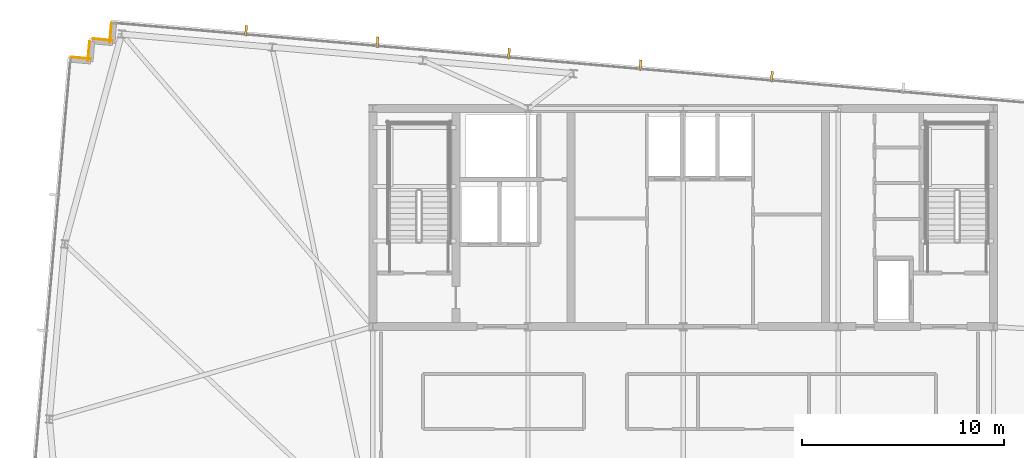
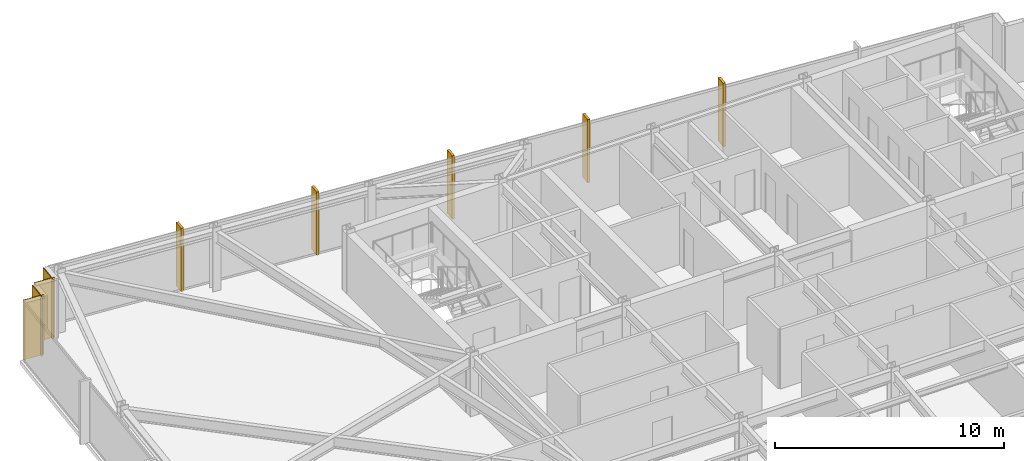
# One storey, part 32 of 32: 5 shading devices, 4 coverings.
"""IFC4 building model written with IfcOpenShell, lengths in metres."""

from ifc_helpers import new_model, si_unit, direction, frame, frame_2d, origin, origin_2d, place, context, subcontext, project, spatial, rectangle, extrude, material, layer, layer_set, type_object, element, save


model = new_model("IFC4")

# Units and contexts
model_context = context("Model", 3, precision=1e-05, world=origin(), true_north=direction((0.0, 1.0)))
body_context = subcontext(model_context, "Body", "Model", "MODEL_VIEW")
ifc_project = project(units=[si_unit("LENGTHUNIT", "METRE"), si_unit("AREAUNIT", "SQUARE_METRE"), si_unit("VOLUMEUNIT", "CUBIC_METRE"), si_unit("PLANEANGLEUNIT", "RADIAN"), si_unit("MASSUNIT", "GRAM", prefix="KILO")], contexts=[model_context])

# Site, building, storey
site_placement = place(None, origin())
site = spatial("IfcSite", under=ifc_project, at=site_placement, CompositionType="ELEMENT")
building_placement = place(site_placement, origin())
building = spatial("IfcBuilding", under=site, at=building_placement, Name="Yelkora Congress Tower", CompositionType="ELEMENT")
storey_placement = place(building_placement, frame((0.0, 0.0, 269.300048828125)))
storey = spatial("IfcBuildingStorey", under=building, at=storey_placement, Name="L75", CompositionType="ELEMENT", Elevation=269.300048828125)

# Coverings
ifc_material_1 = material(Name="Anatolian bush-hammered limestone", Category="masonry")
ifc_layer_1 = layer(ifc_material_1, 0.0400390625)
ifc_layer_set_1 = layer_set([ifc_layer_1], Name="Anatolian bush-hammered limestone")
covering_type = type_object("IfcCoveringType", Name="COV-CLAD-SPANDREL-40", PredefinedType="CLADDING", material=ifc_layer_set_1)
for number, where, z_axis, x_axis, name in (
    (1, (8.0849609375, 48.744140625, 0.0), (0.0, 0.0, 1.0), (0.996195572005, -0.087145753297, 0.0), "L75 Anatolian Limestone Cladding EW-L75-SR06"),
    (2, (8.93505859375, 48.5341796875, 0.0), (0.0, 0.0, 1.0), (0.087145753297, 0.996195572005, 0.0), "L75 Anatolian Limestone Cladding EW-L75-SR07"),
):
    element("IfcCovering", number, at=place(storey_placement, frame(where, z_axis=z_axis, x_axis=x_axis)), inside=storey, type_object=covering_type, Name=name, PredefinedType="CLADDING", context=body_context, shape_type="SweptSolid", body=[
        extrude(rectangle(XDim=1.000244140625, YDim=0.0400390625, at=frame_2d((0.5, 0.0))), origin(), (0.0, 0.0, 1.0), 3.179931640625),
    ])
covering_1_placement = place(storey_placement, frame((9.16845703125, 49.6533203125, 0.0), z_axis=(0.0, 0.0, 1.0), x_axis=(0.996193717496, -0.087166950281, 0.0)))
element("IfcCovering", 3, at=covering_1_placement, inside=storey, type_object=covering_type, Name="L75 Anatolian Limestone Cladding EW-L75-SR08", PredefinedType="CLADDING", context=body_context, shape_type="SweptSolid", body=[
    extrude(rectangle(XDim=1.0, YDim=0.0400390625, at=frame_2d((0.5, 0.0))), origin(), (0.0, 0.0, 1.0), 3.179931640625),
])
covering_2_placement = place(storey_placement, frame((10.018310546875, 49.443359375, 0.0), z_axis=(0.0, 0.0, 1.0), x_axis=(0.087145753297, 0.996195572005, 0.0)))
element("IfcCovering", 4, at=covering_2_placement, inside=storey, type_object=covering_type, Name="L75 Anatolian Limestone Cladding EW-L75-SR09", PredefinedType="CLADDING", context=body_context, shape_type="SweptSolid", body=[
    extrude(rectangle(XDim=1.000244140625, YDim=0.0400390625, at=frame_2d((0.5, 0.0))), origin(), (0.0, 0.0, 1.0), 3.179931640625),
])

# Shading devices
ifc_material_2 = material(Name="Champagne anodised aluminium", Category="aluminium")
ifc_layer_2 = layer(ifc_material_2, 3.300048828125)
ifc_layer_set_2 = layer_set([ifc_layer_2], Name="Champagne anodised aluminium")
shading_device_type = type_object("IfcShadingDeviceType", Name="SHD-FIN-ALU-520", PredefinedType="USERDEFINED", material=ifc_layer_set_2)
for number, where, z_axis, x_axis, name in (
    (5, (16.763916015625, 50.057861328125, -0.030029296875), (0.0, 0.0, 1.0), (0.996194698092, -0.087155742748, 0.0), "L75 Vertical Anodised Solar Fin 10-1"),
    (6, (23.2705078125, 49.488525390625, -0.030029296875), (0.0, 0.0, 1.0), (0.996194698092, -0.087155742748, 0.0), "L75 Vertical Anodised Solar Fin 10-2"),
    (7, (29.777099609375, 48.919189453125, -0.030029296875), (0.0, 0.0, 1.0), (0.996194698092, -0.087155742748, 0.0), "L75 Vertical Anodised Solar Fin 10-3"),
    (8, (36.28369140625, 48.35009765625, -0.030029296875), (0.0, 0.0, 1.0), (0.996194698092, -0.087155742748, 0.0), "L75 Vertical Anodised Solar Fin 10-4"),
    (9, (42.790283203125, 47.78076171875, -0.030029296875), (0.0, 0.0, 1.0), (0.996194698092, -0.087155742748, 0.0), "L75 Vertical Anodised Solar Fin 10-5"),
):
    element("IfcShadingDevice", number, at=place(storey_placement, frame(where, z_axis=z_axis, x_axis=x_axis)), inside=storey, type_object=shading_device_type, Name=name, ObjectType="FIN", PredefinedType="USERDEFINED", context=body_context, shape_type="SweptSolid", body=[
        extrude(rectangle(XDim=0.1201171875, YDim=0.52001953125, at=origin_2d()), origin(), (0.0, 0.0, 1.0), 3.3798828125),
    ])

save(model, "model.ifc")
